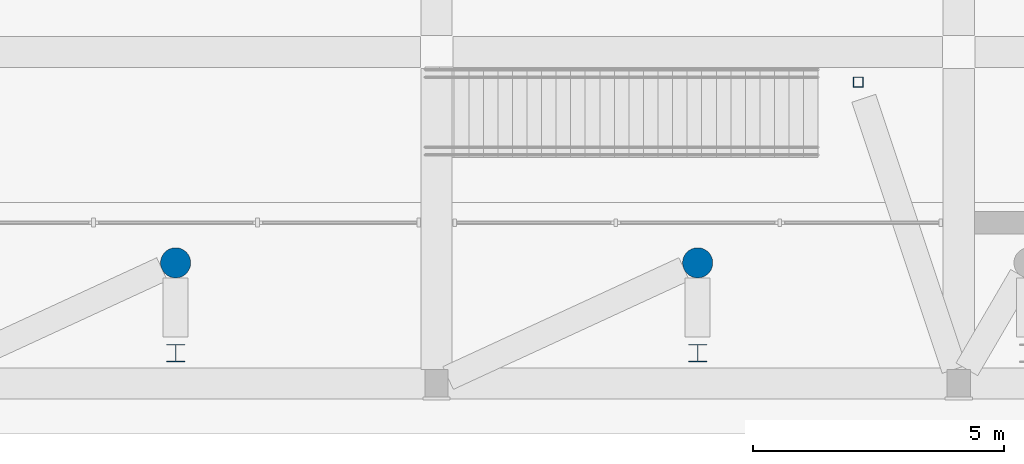
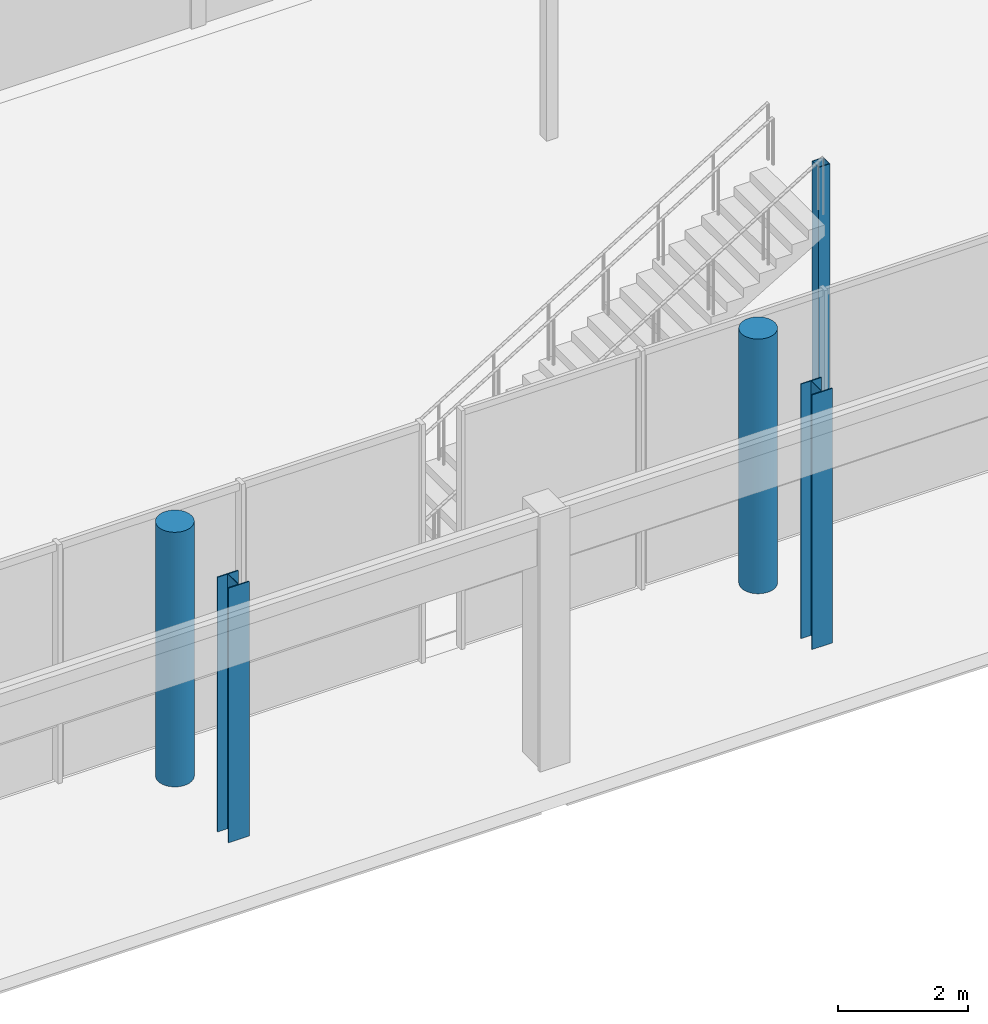
# One storey, part 6 of 88: 5 columns.
"""IFC4 building model written with IfcOpenShell, lengths in metres."""

from ifc_helpers import new_model, si_unit, derived_unit, direction, frame, origin, origin_2d, place, context, subcontext, project, spatial, hollow_rectangle, circle, i_section, extrude, material, material_profile, profile_set, type_object, element, save


model = new_model("IFC4")

# Units and contexts
model_context = context("Model", 3, precision=1e-05, world=origin(), true_north=direction((0.0, 1.0)))
body_context = subcontext(model_context, "Body", "Model", "MODEL_VIEW")
ifc_project = project(units=[si_unit("LENGTHUNIT", "METRE"), si_unit("AREAUNIT", "SQUARE_METRE"), si_unit("VOLUMEUNIT", "CUBIC_METRE"), si_unit("PLANEANGLEUNIT", "RADIAN"), si_unit("MASSUNIT", "GRAM", prefix="KILO"), derived_unit("THERMALTRANSMITTANCEUNIT", [(si_unit("POWERUNIT", "WATT"), 1), (si_unit("LENGTHUNIT", "METRE"), -2), (si_unit("THERMODYNAMICTEMPERATUREUNIT", "KELVIN"), -1)])], contexts=[model_context])

# Site, building, storey
site_placement = place(None, origin())
site = spatial("IfcSite", under=ifc_project, at=site_placement, CompositionType="ELEMENT")
building_placement = place(site_placement, origin())
building = spatial("IfcBuilding", under=site, at=building_placement, Name="Braskholm Square Health Centre", CompositionType="ELEMENT")
storey_placement = place(building_placement, origin())
storey = spatial("IfcBuildingStorey", under=building, at=storey_placement, Name="L01", CompositionType="ELEMENT", Elevation=0.0)

# Columns
ifc_material_1 = material(Name="Concrete C40/50 (f'c = 40 MPa)", Category="concrete")
ifc_material_profile_1 = material_profile(ifc_material_1, circle(Radius=0.300048828125, at=origin_2d()), Name="RC-RND-600")
ifc_profile_set_1 = profile_set([ifc_material_profile_1], Name="Concrete C40/50 (f'c = 40 MPa)")
column_type_1 = type_object("IfcColumnType", Name="ColRoundConcourse600", PredefinedType="COLUMN", material=ifc_profile_set_1)
for number, where, z_axis, x_axis, name in (
    (1, (52.800048828125, 89.60009765625, 0.0), (0.0, 0.0, 1.0), (1.0, 0.0, 0.0), "Column RC01 L01"),
    (2, (63.199951171875, 89.60009765625, 0.0), (0.0, 0.0, 1.0), (1.0, 0.0, 0.0), "Column RC02 L01"),
):
    element("IfcColumn", number, at=place(storey_placement, frame(where, z_axis=z_axis, x_axis=x_axis)), inside=storey, type_object=column_type_1, Name=name, PredefinedType="COLUMN", context=body_context, shape_type="SweptSolid", body=[
        extrude(circle(Radius=0.300048828125, at=origin_2d()), origin(), (0.0, 0.0, 1.0), 4.800048828125),
    ])
ifc_material_2 = material(Name="Steel ASTM A992 Grade 50", Category="steel")
ifc_material_profile_2 = material_profile(ifc_material_2, i_section(OverallWidth=0.368896484375, OverallDepth=0.35595703125, WebThickness=0.01123046875, FlangeThickness=0.01806640625, at=origin_2d()), Name="W14X90")
ifc_profile_set_2 = profile_set([ifc_material_profile_2], Name="Steel ASTM A992 Grade 50")
column_type_2 = type_object("IfcColumnType", Name="ColSteelHallW14X90", PredefinedType="COLUMN", material=ifc_profile_set_2)
for number, where, z_axis, x_axis, name in (
    (3, (52.800048828125, 87.800048828125, 0.0), (0.0, 0.0, 1.0), (1.0, 0.0, 0.0), "Column CS1A L01"),
    (4, (63.199951171875, 87.800048828125, 0.0), (0.0, 0.0, 1.0), (1.0, 0.0, 0.0), "Column CS1B L01"),
):
    element("IfcColumn", number, at=place(storey_placement, frame(where, z_axis=z_axis, x_axis=x_axis)), inside=storey, type_object=column_type_2, Name=name, PredefinedType="COLUMN", context=body_context, shape_type="SweptSolid", body=[
        extrude(i_section(OverallWidth=0.368896484375, OverallDepth=0.35595703125, WebThickness=0.01123046875, FlangeThickness=0.01806640625, at=origin_2d()), origin(), (0.0, 0.0, 1.0), 4.800048828125),
    ])
ifc_material_3 = material(Name="Steel ASTM A500 Grade C", Category="steel")
ifc_material_profile_3 = material_profile(ifc_material_3, hollow_rectangle(XDim=0.203125, YDim=0.203125, WallThickness=0.0087890625, at=origin_2d()), Name="HSS8X8X3/8")
ifc_profile_set_3 = profile_set([ifc_material_profile_3], Name="Steel ASTM A500 Grade C")
column_type_3 = type_object("IfcColumnType", Name="ColSteelPorchHSS8", PredefinedType="COLUMN", material=ifc_profile_set_3)
column_placement = place(storey_placement, frame((66.39990234375, 93.199951171875, 0.0), z_axis=(0.0, 0.0, 1.0), x_axis=(1.0, 0.0, 0.0)))
element("IfcColumn", 5, at=column_placement, inside=storey, type_object=column_type_3, Name="Column CS3A L01", PredefinedType="COLUMN", context=body_context, shape_type="SweptSolid", body=[
    extrude(hollow_rectangle(XDim=0.203125, YDim=0.203125, WallThickness=0.0087890625, at=origin_2d()), origin(), (0.0, 0.0, 1.0), 4.6201171875),
])

save(model, "model.ifc")
